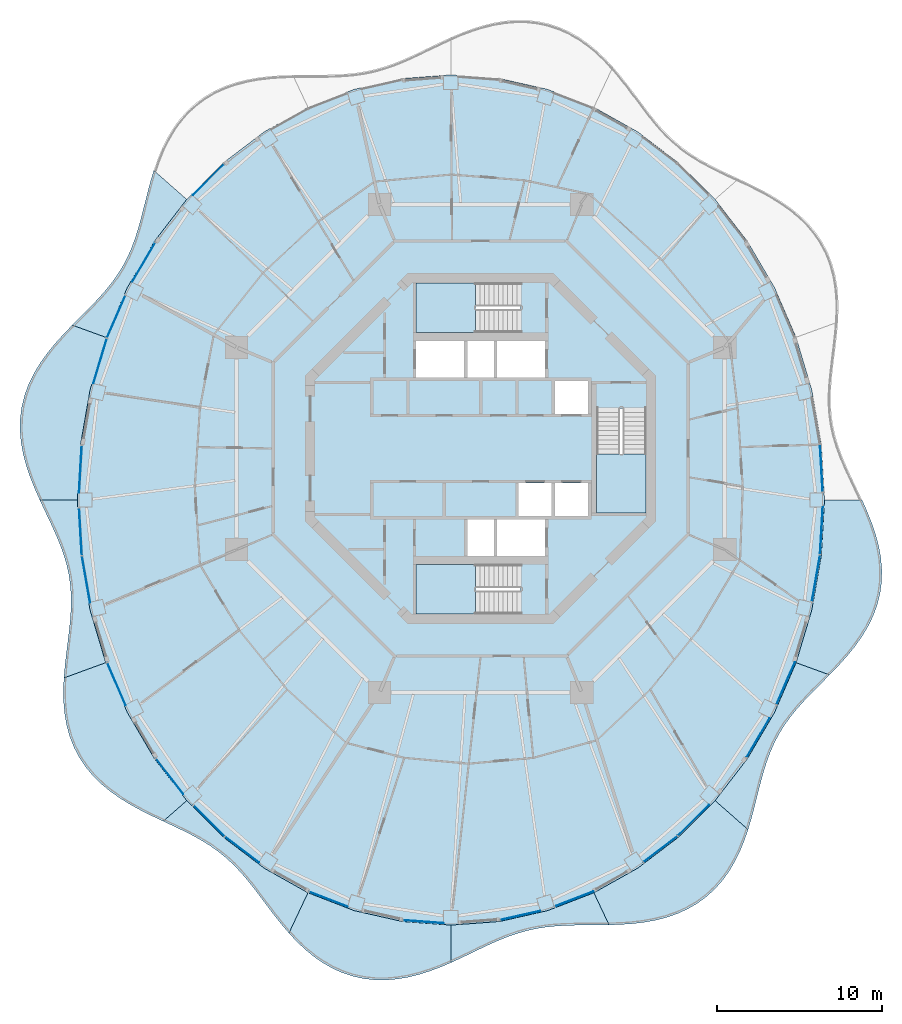
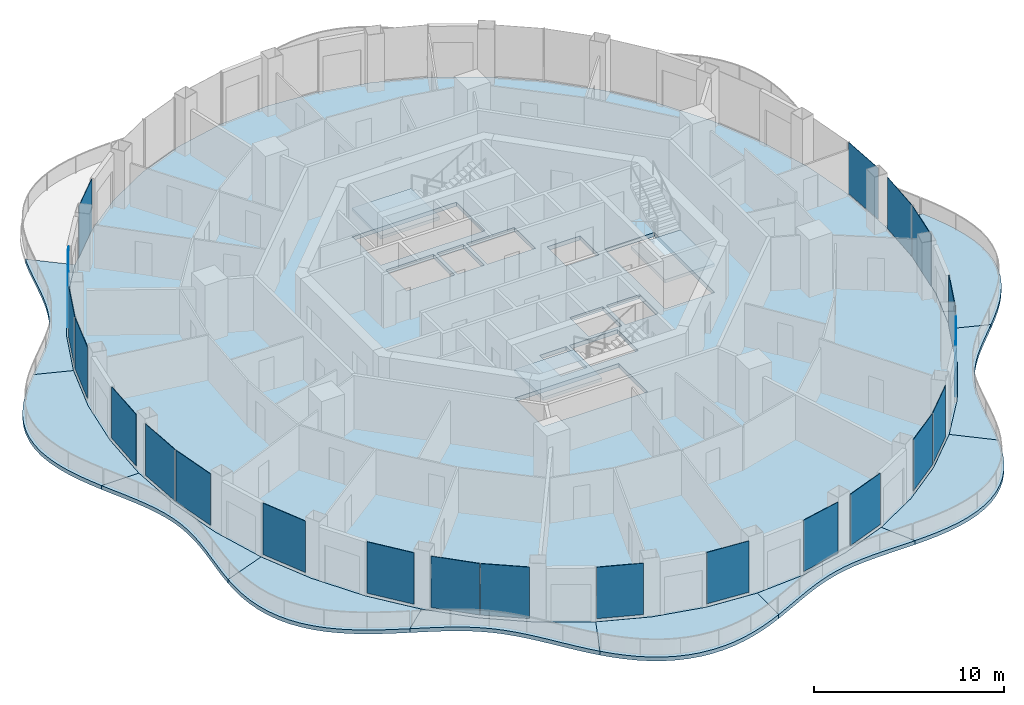
# One storey, part 8 of 17: 22 plates, 14 slabs, 25 elements without a shape of their own.
"""IFC4 building model written with IfcOpenShell, lengths in metres."""

from ifc_helpers import new_model, si_unit, direction, frame, origin, origin_2d, place, context, subcontext, project, spatial, polyline, rectangle, outline, extrude, material, layer, layer_set, type_object, element, aggregate, save


model = new_model("IFC4")

# Units and contexts
model_context = context("Model", 3, precision=1e-05, world=origin(), true_north=direction((0.0, 1.0)))
body_context = subcontext(model_context, "Body", "Model", "MODEL_VIEW")
ifc_project = project(units=[si_unit("LENGTHUNIT", "METRE"), si_unit("AREAUNIT", "SQUARE_METRE"), si_unit("VOLUMEUNIT", "CUBIC_METRE"), si_unit("PLANEANGLEUNIT", "RADIAN"), si_unit("MASSUNIT", "GRAM", prefix="KILO")], contexts=[model_context])

# Site, building, storey
site_placement = place(None, origin())
site = spatial("IfcSite", under=ifc_project, at=site_placement, CompositionType="ELEMENT")
building_placement = place(site_placement, origin())
building = spatial("IfcBuilding", under=site, at=building_placement, Name="Nagisa Residences", CompositionType="ELEMENT")
storey_placement = place(building_placement, frame((0.0, 0.0, 269.60009765625)))
storey = spatial("IfcBuildingStorey", under=building, at=storey_placement, Name="L68", CompositionType="ELEMENT", Elevation=269.60009765625)

# Slabs
ifc_material_1 = material(Name="Concrete C40/50", Category="concrete")
ifc_layer_1 = layer(ifc_material_1, 0.25)
ifc_layer_set_1 = layer_set([ifc_layer_1], Name="BALCONY SLAB 250")
slab_type_1 = type_object("IfcSlabType", Name="BALCONY SLAB 250", PredefinedType="FLOOR", material=ifc_layer_set_1)
slab_1_placement = place(storey_placement, frame((0.0, 0.0, -0.25)))
element("IfcSlab", 1, at=slab_1_placement, inside=storey, type_object=slab_type_1, Name="slab:L68:bal06", PredefinedType="FLOOR", context=body_context, shape_type="SweptSolid", body=[
    extrude(outline(polyline([(-19.78955078125, 16.83642578125), (-19.998779296875, 16.132080078125), (-20.18505859375, 15.4287109375), (-20.35888671875, 14.734375), (-20.530517578125, 14.0556640625), (-20.710205078125, 13.397705078125), (-20.907470703125, 12.76416015625), (-21.130615234375, 12.156982421875), (-21.38671875, 11.575927734375), (-21.68017578125, 11.019775390625), (-22.014404296875, 10.485595703125), (-22.38916015625, 9.969482421875), (-22.802734375, 9.46630859375), (-23.2509765625, 8.970703125), (-23.726806640625, 8.476806640625), (-24.22216796875, 7.978515625), (-24.726806640625, 7.470947265625), (-22.6982421875, 6.732666015625), (-21.389404296875, 9.752197265625), (-19.74560546875, 12.5517578125), (-17.794677734375, 15.083251953125), (-19.78955078125, 16.83642578125)])), origin(), (0.0, 0.0, 1.0), 0.25),
])
slab_2_placement = place(storey_placement, frame((0.0, 0.0, -0.25)))
element("IfcSlab", 2, at=slab_2_placement, inside=storey, type_object=slab_type_1, Name="slab:L68:bal07", PredefinedType="FLOOR", context=body_context, shape_type="SweptSolid", body=[
    extrude(outline(polyline([(-24.726806640625, 7.470947265625), (-25.245361328125, 6.932373046875), (-25.7490234375, 6.374267578125), (-26.224365234375, 5.793701171875), (-26.65869140625, 5.189208984375), (-27.04052734375, 4.56005859375), (-27.359619140625, 3.90771484375), (-27.6083984375, 3.234130859375), (-27.781005859375, 2.542724609375), (-27.875, 1.837158203125), (-27.890869140625, 1.122314453125), (-27.831298828125, 0.403076171875), (-27.70263671875, -0.31640625), (-27.512939453125, -1.03125), (-27.272705078125, -1.738037109375), (-26.99462890625, -2.434326171875), (-26.69140625, -3.11767578125), (-24.419921875, -3.11767578125), (-24.2265625, 0.241943359375), (-23.649169921875, 3.544189453125), (-22.6982421875, 6.732666015625), (-24.726806640625, 7.470947265625)])), origin(), (0.0, 0.0, 1.0), 0.25),
])
slab_3_placement = place(storey_placement, frame((0.0, 0.0, -0.25)))
element("IfcSlab", 3, at=slab_3_placement, inside=storey, type_object=slab_type_1, Name="slab:L68:bal08", PredefinedType="FLOOR", context=body_context, shape_type="SweptSolid", body=[
    extrude(outline(polyline([(-26.69140625, -3.11767578125), (-26.377197265625, -3.787841796875), (-26.0654296875, -4.4453125), (-25.768798828125, -5.091796875), (-25.4990234375, -5.7294921875), (-25.265625, -6.36181640625), (-25.075439453125, -6.99267578125), (-24.93359375, -7.626220703125), (-24.841552734375, -8.2666015625), (-24.7978515625, -8.917236328125), (-24.799072265625, -9.58154296875), (-24.837890625, -10.26171875), (-24.90576171875, -10.95849609375), (-24.99169921875, -11.671875), (-25.083251953125, -12.400390625), (-25.16748046875, -13.141357421875), (-25.231201171875, -13.889892578125), (-22.6982421875, -12.968017578125), (-23.649169921875, -9.77978515625), (-24.2265625, -6.4775390625), (-24.419921875, -3.11767578125), (-26.69140625, -3.11767578125)])), origin(), (0.0, 0.0, 1.0), 0.25),
])
slab_4_placement = place(storey_placement, frame((0.0, 0.0, -0.25)))
element("IfcSlab", 4, at=slab_4_placement, inside=storey, type_object=slab_type_1, Name="slab:L68:bal09", PredefinedType="FLOOR", context=body_context, shape_type="SweptSolid", body=[
    extrude(outline(polyline([(-25.231201171875, -13.889892578125), (-25.26123046875, -14.6181640625), (-25.249267578125, -15.343505859375), (-25.18603515625, -16.059326171875), (-25.063720703125, -16.759765625), (-24.877197265625, -17.438232421875), (-24.623046875, -18.0888671875), (-24.300537109375, -18.70654296875), (-23.911376953125, -19.286865234375), (-23.459716796875, -19.8271484375), (-22.950927734375, -20.32568359375), (-22.3935546875, -20.782958984375), (-21.796142578125, -21.20068359375), (-21.16943359375, -21.582275390625), (-20.5234375, -21.93310546875), (-19.869140625, -22.259033203125), (-19.21630859375, -22.56787109375), (-17.794677734375, -21.318603515625), (-19.74560546875, -18.787109375), (-21.389404296875, -15.98779296875), (-22.6982421875, -12.968017578125), (-25.231201171875, -13.889892578125)])), origin(), (0.0, 0.0, 1.0), 0.25),
])
slab_5_placement = place(storey_placement, frame((0.0, 0.0, -0.25)))
element("IfcSlab", 5, at=slab_5_placement, inside=storey, type_object=slab_type_1, Name="slab:L68:bal10", PredefinedType="FLOOR", context=body_context, shape_type="SweptSolid", body=[
    extrude(outline(polyline([(-19.21630859375, -22.56787109375), (-18.60400390625, -22.853759765625), (-18.008056640625, -23.138916015625), (-17.433837890625, -23.430908203125), (-16.885009765625, -23.736572265625), (-16.364013671875, -24.062255859375), (-15.870849609375, -24.4130859375), (-15.404296875, -24.79345703125), (-14.961669921875, -25.205322265625), (-14.5380859375, -25.6494140625), (-14.12890625, -26.124755859375), (-13.7275390625, -26.628173828125), (-13.327392578125, -27.155029296875), (-12.921630859375, -27.6982421875), (-12.503662109375, -28.250244140625), (-12.067626953125, -28.801513671875), (-11.608154296875, -29.34228515625), (-10.456298828125, -26.8984375), (-13.110107421875, -25.4091796875), (-15.570068359375, -23.53857421875), (-17.794677734375, -21.318603515625), (-19.21630859375, -22.56787109375)])), origin(), (0.0, 0.0, 1.0), 0.25),
])
slab_6_placement = place(storey_placement, frame((0.0, 0.0, -0.25)))
element("IfcSlab", 6, at=slab_6_placement, inside=storey, type_object=slab_type_1, Name="slab:L68:bal11", PredefinedType="FLOOR", context=body_context, shape_type="SweptSolid", body=[
    extrude(outline(polyline([(-11.608154296875, -29.34228515625), (-11.139404296875, -29.843505859375), (-10.642822265625, -30.315673828125), (-10.11669921875, -30.74951171875), (-9.5615234375, -31.13720703125), (-8.97802734375, -31.470703125), (-8.368896484375, -31.744384765625), (-7.7373046875, -31.953857421875), (-7.08740234375, -32.096435546875), (-6.423828125, -32.17138671875), (-5.751708984375, -32.179931640625), (-5.076416015625, -32.12548828125), (-4.40234375, -32.012451171875), (-3.734375, -31.847900390625), (-3.076171875, -31.639892578125), (-2.430908203125, -31.39697265625), (-1.800048828125, -31.129150390625), (-1.800048828125, -28.857666015625), (-4.75244140625, -28.637451171875), (-7.654541015625, -27.980712890625), (-10.456298828125, -26.8984375), (-11.608154296875, -29.34228515625)])), origin(), (0.0, 0.0, 1.0), 0.25),
])
slab_7_placement = place(storey_placement, frame((0.0, 0.0, -0.25)))
element("IfcSlab", 7, at=slab_7_placement, inside=storey, type_object=slab_type_1, Name="slab:L68:bal12", PredefinedType="FLOOR", context=body_context, shape_type="SweptSolid", body=[
    extrude(outline(polyline([(-1.800048828125, -31.129150390625), (-1.1845703125, -30.8466796875), (-0.58447265625, -30.55908203125), (0.001708984375, -30.276123046875), (0.576171875, -30.006591796875), (1.141845703125, -29.7578125), (1.70263671875, -29.535888671875), (2.262451171875, -29.344970703125), (2.825439453125, -29.187744140625), (3.395263671875, -29.064697265625), (3.975830078125, -28.974609375), (4.56982421875, -28.9140625), (5.179443359375, -28.878662109375), (5.805419921875, -28.86181640625), (6.447509765625, -28.856201171875), (7.104736328125, -28.853759765625), (7.774169921875, -28.845458984375), (6.856201171875, -26.8984375), (4.054443359375, -27.980712890625), (1.152587890625, -28.637451171875), (-1.800048828125, -28.857666015625), (-1.800048828125, -31.129150390625)])), origin(), (0.0, 0.0, 1.0), 0.25),
])
slab_8_placement = place(storey_placement, frame((0.0, 0.0, -0.25)))
element("IfcSlab", 8, at=slab_8_placement, inside=storey, type_object=slab_type_1, Name="slab:L68:bal13", PredefinedType="FLOOR", context=body_context, shape_type="SweptSolid", body=[
    extrude(outline(polyline([(7.774169921875, -28.845458984375), (8.477783203125, -28.821533203125), (9.185302734375, -28.77197265625), (9.890625, -28.688232421875), (10.5869140625, -28.56201171875), (11.2666015625, -28.386962890625), (11.922607421875, -28.157958984375), (12.548095703125, -27.8720703125), (13.136474609375, -27.52783203125), (13.682861328125, -27.125732421875), (14.182861328125, -26.668212890625), (14.63427734375, -26.1591796875), (15.035888671875, -25.6044921875), (15.388916015625, -25.010498046875), (15.69580078125, -24.385009765625), (15.960693359375, -23.73583984375), (16.189697265625, -23.07177734375), (14.19482421875, -21.318603515625), (11.97021484375, -23.53857421875), (9.510009765625, -25.4091796875), (6.856201171875, -26.8984375), (7.774169921875, -28.845458984375)])), origin(), (0.0, 0.0, 1.0), 0.25),
])
slab_9_placement = place(storey_placement, frame((0.0, 0.0, -0.25)))
element("IfcSlab", 9, at=slab_9_placement, inside=storey, type_object=slab_type_1, Name="slab:L68:bal14", PredefinedType="FLOOR", context=body_context, shape_type="SweptSolid", body=[
    extrude(outline(polyline([(16.189697265625, -23.07177734375), (16.398681640625, -22.367431640625), (16.585205078125, -21.6640625), (16.759033203125, -20.9697265625), (16.9306640625, -20.291015625), (17.1103515625, -19.63330078125), (17.3076171875, -18.999755859375), (17.53076171875, -18.392333984375), (17.78662109375, -17.811279296875), (18.080322265625, -17.255126953125), (18.414306640625, -16.720947265625), (18.789306640625, -16.204833984375), (19.202880859375, -15.701904296875), (19.65087890625, -15.2060546875), (20.126708984375, -14.712158203125), (20.6220703125, -14.214111328125), (21.126708984375, -13.706298828125), (19.09814453125, -12.968017578125), (17.78955078125, -15.98779296875), (16.145751953125, -18.787109375), (14.19482421875, -21.318603515625), (16.189697265625, -23.07177734375)])), origin(), (0.0, 0.0, 1.0), 0.25),
])
slab_10_placement = place(storey_placement, frame((0.0, 0.0, -0.25)))
element("IfcSlab", 10, at=slab_10_placement, inside=storey, type_object=slab_type_1, Name="slab:L68:bal15", PredefinedType="FLOOR", context=body_context, shape_type="SweptSolid", body=[
    extrude(outline(polyline([(21.126708984375, -13.706298828125), (21.6455078125, -13.167724609375), (22.14892578125, -12.609619140625), (22.624267578125, -12.029052734375), (23.05859375, -11.424560546875), (23.4404296875, -10.795654296875), (23.759521484375, -10.14306640625), (24.00830078125, -9.4697265625), (24.180908203125, -8.778076171875), (24.275146484375, -8.07275390625), (24.290771484375, -7.35791015625), (24.2314453125, -6.638427734375), (24.1025390625, -5.919189453125), (23.912841796875, -5.2041015625), (23.6728515625, -4.497314453125), (23.39453125, -3.80126953125), (23.091552734375, -3.11767578125), (20.820068359375, -3.11767578125), (20.62646484375, -6.4775390625), (20.04931640625, -9.77978515625), (19.09814453125, -12.968017578125), (21.126708984375, -13.706298828125)])), origin(), (0.0, 0.0, 1.0), 0.25),
])

# Curtain wall, plate
ifc_material_2 = material(Name="Concrete-coloured aluminium curtain wall system", Category="concrete")
ifc_layer_2 = layer(ifc_material_2, 0.159912109375)
ifc_layer_set_2 = layer_set([ifc_layer_2], Name="CW1 CURTAIN WALL")
curtain_wall_type = type_object("IfcCurtainWallType", Name="CW1 CURTAIN WALL", PredefinedType="NOTDEFINED", material=ifc_layer_set_2)
curtain_wall_1_placement = place(storey_placement, origin())
curtain_wall_1 = element("IfcCurtainWall", 11, at=curtain_wall_1_placement, inside=storey, type_object=curtain_wall_type, Name="cw:CW1:L68:00", PredefinedType="NOTDEFINED")
ifc_material_3 = material(Name="Clear laminated glass", Category="glass")
ifc_layer_3 = layer(ifc_material_3, 0.028076171875)
ifc_layer_set_3 = layer_set([ifc_layer_3], Name="CW1 GLASS PANEL")
plate_type = type_object("IfcPlateType", Name="CW1 GLASS PANEL", PredefinedType="CURTAIN_PANEL", material=ifc_layer_set_3)
plate_1_placement = place(storey_placement, frame((20.628662109375, -1.187744140625, 0.14990234375), z_axis=(0.0, 0.0, 1.0), x_axis=(-0.057503492216, 0.998345305184, 0.0)))
plate_1 = element("IfcPlate", 12, at=plate_1_placement, type_object=plate_type, Name="CW1 panel", PredefinedType="CURTAIN_PANEL", context=body_context, shape_type="SweptSolid", body=[
    extrude(rectangle(XDim=2.855224609375, YDim=0.028076171875, at=origin_2d()), origin(), (0.0, 0.0, 1.0), 3.2900390625),
])
aggregate(curtain_wall_1, [plate_1])

curtain_wall_2_placement = place(storey_placement, origin())
curtain_wall_2 = element("IfcCurtainWall", 13, at=curtain_wall_2_placement, inside=storey, type_object=curtain_wall_type, Name="cw:CW1:L68:17", PredefinedType="NOTDEFINED")
plate_2_placement = place(storey_placement, frame((-16.488037109375, 16.2744140625, 0.14990234375), z_axis=(0.0, 0.0, 1.0), x_axis=(-0.707835924016, -0.706376885714, 0.0)))
plate_2 = element("IfcPlate", 14, at=plate_2_placement, type_object=plate_type, Name="CW1 panel", PredefinedType="CURTAIN_PANEL", context=body_context, shape_type="SweptSolid", body=[
    extrude(rectangle(XDim=2.6328125, YDim=0.028076171875, at=origin_2d()), origin(), (0.0, 0.0, 1.0), 3.2900390625),
])
aggregate(curtain_wall_2, [plate_2])

curtain_wall_3_placement = place(storey_placement, origin())
curtain_wall_3 = element("IfcCurtainWall", 15, at=curtain_wall_3_placement, inside=storey, type_object=curtain_wall_type, Name="cw:CW1:L68:19", PredefinedType="NOTDEFINED")
plate_3_placement = place(storey_placement, frame((-20.39990234375, 11.27978515625, 0.14990234375), z_axis=(0.0, 0.0, 1.0), x_axis=(-0.506348567002, -0.862328898214, 0.0)))
plate_3 = element("IfcPlate", 16, at=plate_3_placement, type_object=plate_type, Name="CW1 panel", PredefinedType="CURTAIN_PANEL", context=body_context, shape_type="SweptSolid", body=[
    extrude(rectangle(XDim=2.736572265625, YDim=0.028076171875, at=origin_2d()), origin(), (0.0, 0.0, 1.0), 3.2900390625),
])
aggregate(curtain_wall_3, [plate_3])

curtain_wall_4_placement = place(storey_placement, origin())
curtain_wall_4 = element("IfcCurtainWall", 17, at=curtain_wall_4_placement, inside=storey, type_object=curtain_wall_type, Name="cw:CW1:L68:20", PredefinedType="NOTDEFINED")
plate_4_placement = place(storey_placement, frame((-22.07177734375, 7.9765625, 0.14990234375), z_axis=(0.0, 0.0, 1.0), x_axis=(-0.397635934147, -0.917543276295, 0.0)))
plate_4 = element("IfcPlate", 18, at=plate_4_placement, type_object=plate_type, Name="CW1 panel", PredefinedType="CURTAIN_PANEL", context=body_context, shape_type="SweptSolid", body=[
    extrude(rectangle(XDim=2.781005859375, YDim=0.028076171875, at=origin_2d()), origin(), (0.0, 0.0, 1.0), 3.2900390625),
])
aggregate(curtain_wall_4, [plate_4])

curtain_wall_5_placement = place(storey_placement, origin())
curtain_wall_5 = element("IfcCurtainWall", 19, at=curtain_wall_5_placement, inside=storey, type_object=curtain_wall_type, Name="cw:CW1:L68:21", PredefinedType="NOTDEFINED")
plate_5_placement = place(storey_placement, frame((-23.041259765625, 5.302490234375, 0.14990234375), z_axis=(0.0, 0.0, 1.0), x_axis=(-0.285860274038, -0.958271310082, 0.0)))
plate_5 = element("IfcPlate", 20, at=plate_5_placement, type_object=plate_type, Name="CW1 panel", PredefinedType="CURTAIN_PANEL", context=body_context, shape_type="SweptSolid", body=[
    extrude(rectangle(XDim=2.817138671875, YDim=0.028076171875, at=origin_2d()), origin(), (0.0, 0.0, 1.0), 3.2900390625),
])
aggregate(curtain_wall_5, [plate_5])

curtain_wall_6_placement = place(storey_placement, origin())
curtain_wall_6 = element("IfcCurtainWall", 21, at=curtain_wall_6_placement, inside=storey, type_object=curtain_wall_type, Name="cw:CW1:L68:23", PredefinedType="NOTDEFINED")
plate_6_placement = place(storey_placement, frame((-24.232177734375, -1.247802734375, 0.14990234375), z_axis=(0.0, 0.0, 1.0), x_axis=(-0.057503492216, -0.998345305184, 0.0)))
plate_6 = element("IfcPlate", 22, at=plate_6_placement, type_object=plate_type, Name="CW1 panel", PredefinedType="CURTAIN_PANEL", context=body_context, shape_type="SweptSolid", body=[
    extrude(rectangle(XDim=2.855224609375, YDim=0.028076171875, at=origin_2d()), origin(), (0.0, 0.0, 1.0), 3.2900390625),
])
aggregate(curtain_wall_6, [plate_6])

curtain_wall_7_placement = place(storey_placement, origin())
curtain_wall_7 = element("IfcCurtainWall", 23, at=curtain_wall_7_placement, inside=storey, type_object=curtain_wall_type, Name="cw:CW1:L68:24", PredefinedType="NOTDEFINED")
plate_7_placement = place(storey_placement, frame((-24.228759765625, -5.047607421875, 0.14990234375), z_axis=(0.0, 0.0, 1.0), x_axis=(0.057503492216, -0.998345305184, 0.0)))
plate_7 = element("IfcPlate", 24, at=plate_7_placement, type_object=plate_type, Name="CW1 panel", PredefinedType="CURTAIN_PANEL", context=body_context, shape_type="SweptSolid", body=[
    extrude(rectangle(XDim=2.855224609375, YDim=0.028076171875, at=origin_2d()), origin(), (0.0, 0.0, 1.0), 3.2900390625),
])
aggregate(curtain_wall_7, [plate_7])

curtain_wall_8_placement = place(storey_placement, origin())
curtain_wall_8 = element("IfcCurtainWall", 25, at=curtain_wall_8_placement, inside=storey, type_object=curtain_wall_type, Name="cw:CW1:L68:25", PredefinedType="NOTDEFINED")
plate_8_placement = place(storey_placement, frame((-23.892578125, -7.922607421875, 0.14990234375), z_axis=(0.0, 0.0, 1.0), x_axis=(0.172190868898, -0.985063604377, 0.0)))
plate_8 = element("IfcPlate", 26, at=plate_8_placement, type_object=plate_type, Name="CW1 panel", PredefinedType="CURTAIN_PANEL", context=body_context, shape_type="SweptSolid", body=[
    extrude(rectangle(XDim=2.84228515625, YDim=0.028076171875, at=origin_2d()), origin(), (0.0, 0.0, 1.0), 3.2900390625),
])
aggregate(curtain_wall_8, [plate_8])

curtain_wall_9_placement = place(storey_placement, origin())
curtain_wall_9 = element("IfcCurtainWall", 27, at=curtain_wall_9_placement, inside=storey, type_object=curtain_wall_type, Name="cw:CW1:L68:27", PredefinedType="NOTDEFINED")
plate_9_placement = place(storey_placement, frame((-22.0478515625, -14.26708984375, 0.14990234375), z_axis=(0.0, 0.0, 1.0), x_axis=(0.397635934147, -0.917543276295, 0.0)))
plate_9 = element("IfcPlate", 28, at=plate_9_placement, type_object=plate_type, Name="CW1 panel", PredefinedType="CURTAIN_PANEL", context=body_context, shape_type="SweptSolid", body=[
    extrude(rectangle(XDim=2.781005859375, YDim=0.028076171875, at=origin_2d()), origin(), (0.0, 0.0, 1.0), 3.2900390625),
])
aggregate(curtain_wall_9, [plate_9])

curtain_wall_10_placement = place(storey_placement, origin())
curtain_wall_10 = element("IfcCurtainWall", 29, at=curtain_wall_10_placement, inside=storey, type_object=curtain_wall_type, Name="cw:CW1:L68:29", PredefinedType="NOTDEFINED")
plate_10_placement = place(storey_placement, frame((-18.825927734375, -19.849609375, 0.14990234375), z_axis=(0.0, 0.0, 1.0), x_axis=(0.610429828235, -0.792070340816, 0.0)))
plate_10 = element("IfcPlate", 30, at=plate_10_placement, type_object=plate_type, Name="CW1 panel", PredefinedType="CURTAIN_PANEL", context=body_context, shape_type="SweptSolid", body=[
    extrude(rectangle(XDim=2.68603515625, YDim=0.028076171875, at=origin_2d()), origin(), (0.0, 0.0, 1.0), 3.2900390625),
])
aggregate(curtain_wall_10, [plate_10])

curtain_wall_11_placement = place(storey_placement, origin())
curtain_wall_11 = element("IfcCurtainWall", 31, at=curtain_wall_11_placement, inside=storey, type_object=curtain_wall_type, Name="cw:CW1:L68:30", PredefinedType="NOTDEFINED")
plate_11_placement = place(storey_placement, frame((-16.445556640625, -22.552001953125, 0.14990234375), z_axis=(0.0, 0.0, 1.0), x_axis=(0.707835924016, -0.706376885714, 0.0)))
plate_11 = element("IfcPlate", 32, at=plate_11_placement, type_object=plate_type, Name="CW1 panel", PredefinedType="CURTAIN_PANEL", context=body_context, shape_type="SweptSolid", body=[
    extrude(rectangle(XDim=2.6328125, YDim=0.028076171875, at=origin_2d()), origin(), (0.0, 0.0, 1.0), 3.2900390625),
])
aggregate(curtain_wall_11, [plate_11])

curtain_wall_12_placement = place(storey_placement, origin())
curtain_wall_12 = element("IfcCurtainWall", 33, at=curtain_wall_12_placement, inside=storey, type_object=curtain_wall_type, Name="cw:CW1:L68:31", PredefinedType="NOTDEFINED")
plate_12_placement = place(storey_placement, frame((-14.44677734375, -24.292236328125, 0.14990234375), z_axis=(0.0, 0.0, 1.0), x_axis=(0.79603132756, -0.605255421737, 0.0)))
plate_12 = element("IfcPlate", 34, at=plate_12_placement, type_object=plate_type, Name="CW1 panel", PredefinedType="CURTAIN_PANEL", context=body_context, shape_type="SweptSolid", body=[
    extrude(rectangle(XDim=2.58056640625, YDim=0.028076171875, at=origin_2d()), origin(), (0.0, 0.0, 1.0), 3.2900390625),
])
aggregate(curtain_wall_12, [plate_12])

curtain_wall_13_placement = place(storey_placement, origin())
curtain_wall_13 = element("IfcCurtainWall", 35, at=curtain_wall_13_placement, inside=storey, type_object=curtain_wall_type, Name="cw:CW1:L68:33", PredefinedType="NOTDEFINED")
plate_13_placement = place(storey_placement, frame((-9.20849609375, -27.294677734375, 0.14990234375), z_axis=(0.0, 0.0, 1.0), x_axis=(0.932825759707, -0.360327770268, 0.0)))
plate_13 = element("IfcPlate", 36, at=plate_13_placement, type_object=plate_type, Name="CW1 panel", PredefinedType="CURTAIN_PANEL", context=body_context, shape_type="SweptSolid", body=[
    extrude(rectangle(XDim=2.49365234375, YDim=0.028076171875, at=origin_2d()), origin(), (0.0, 0.0, 1.0), 3.2900390625),
])
aggregate(curtain_wall_13, [plate_13])

curtain_wall_14_placement = place(storey_placement, origin())
curtain_wall_14 = element("IfcCurtainWall", 37, at=curtain_wall_14_placement, inside=storey, type_object=curtain_wall_type, Name="cw:CW1:L68:35", PredefinedType="NOTDEFINED")
plate_14_placement = place(storey_placement, frame((-3.46484375, -28.6533203125, 0.14990234375), z_axis=(0.0, 0.0, 1.0), x_axis=(0.997230168512, -0.074377355493, 0.0)))
plate_14 = element("IfcPlate", 38, at=plate_14_placement, type_object=plate_type, Name="CW1 panel", PredefinedType="CURTAIN_PANEL", context=body_context, shape_type="SweptSolid", body=[
    extrude(rectangle(XDim=2.45068359375, YDim=0.028076171875, at=origin_2d()), origin(), (0.0, 0.0, 1.0), 3.2900390625),
])
aggregate(curtain_wall_14, [plate_14])

curtain_wall_15_placement = place(storey_placement, origin())
curtain_wall_15 = element("IfcCurtainWall", 39, at=curtain_wall_15_placement, inside=storey, type_object=curtain_wall_type, Name="cw:CW1:L68:37", PredefinedType="NOTDEFINED")
plate_15_placement = place(storey_placement, frame((2.395751953125, -28.274169921875, 0.14990234375), z_axis=(0.0, 0.0, 1.0), x_axis=(0.975327274089, 0.2207639201, 0.0)))
plate_15 = element("IfcPlate", 40, at=plate_15_placement, type_object=plate_type, Name="CW1 panel", PredefinedType="CURTAIN_PANEL", context=body_context, shape_type="SweptSolid", body=[
    extrude(rectangle(XDim=2.46533203125, YDim=0.028076171875, at=origin_2d()), origin(), (0.0, 0.0, 1.0), 3.2900390625),
])
aggregate(curtain_wall_15, [plate_15])

curtain_wall_16_placement = place(storey_placement, origin())
curtain_wall_16 = element("IfcCurtainWall", 41, at=curtain_wall_16_placement, inside=storey, type_object=curtain_wall_type, Name="cw:CW1:L68:38", PredefinedType="NOTDEFINED")
plate_16_placement = place(storey_placement, frame((5.66455078125, -27.27294921875, 0.14990234375), z_axis=(0.0, 0.0, 1.0), x_axis=(0.932825759707, 0.360327770268, 0.0)))
plate_16 = element("IfcPlate", 42, at=plate_16_placement, type_object=plate_type, Name="CW1 panel", PredefinedType="CURTAIN_PANEL", context=body_context, shape_type="SweptSolid", body=[
    extrude(rectangle(XDim=2.49365234375, YDim=0.028076171875, at=origin_2d()), origin(), (0.0, 0.0, 1.0), 3.2900390625),
])
aggregate(curtain_wall_16, [plate_16])

curtain_wall_17_placement = place(storey_placement, origin())
curtain_wall_17 = element("IfcCurtainWall", 43, at=curtain_wall_17_placement, inside=storey, type_object=curtain_wall_type, Name="cw:CW1:L68:40", PredefinedType="NOTDEFINED")
plate_17_placement = place(storey_placement, frame((10.894775390625, -24.255859375, 0.14990234375), z_axis=(0.0, 0.0, 1.0), x_axis=(0.79603132756, 0.605255421737, 0.0)))
plate_17 = element("IfcPlate", 44, at=plate_17_placement, type_object=plate_type, Name="CW1 panel", PredefinedType="CURTAIN_PANEL", context=body_context, shape_type="SweptSolid", body=[
    extrude(rectangle(XDim=2.58056640625, YDim=0.028076171875, at=origin_2d()), origin(), (0.0, 0.0, 1.0), 3.2900390625),
])
aggregate(curtain_wall_17, [plate_17])

curtain_wall_18_placement = place(storey_placement, origin())
curtain_wall_18 = element("IfcCurtainWall", 45, at=curtain_wall_18_placement, inside=storey, type_object=curtain_wall_type, Name="cw:CW1:L68:41", PredefinedType="NOTDEFINED")
plate_18_placement = place(storey_placement, frame((12.887939453125, -22.509765625, 0.14990234375), z_axis=(0.0, 0.0, 1.0), x_axis=(0.707835924016, 0.706376885714, 0.0)))
plate_18 = element("IfcPlate", 46, at=plate_18_placement, type_object=plate_type, Name="CW1 panel", PredefinedType="CURTAIN_PANEL", context=body_context, shape_type="SweptSolid", body=[
    extrude(rectangle(XDim=2.6328125, YDim=0.028076171875, at=origin_2d()), origin(), (0.0, 0.0, 1.0), 3.2900390625),
])
aggregate(curtain_wall_18, [plate_18])

curtain_wall_19_placement = place(storey_placement, origin())
curtain_wall_19 = element("IfcCurtainWall", 47, at=curtain_wall_19_placement, inside=storey, type_object=curtain_wall_type, Name="cw:CW1:L68:43", PredefinedType="NOTDEFINED")
plate_19_placement = place(storey_placement, frame((16.7998046875, -17.51513671875, 0.14990234375), z_axis=(0.0, 0.0, 1.0), x_axis=(0.506348567002, 0.862328898214, 0.0)))
plate_19 = element("IfcPlate", 48, at=plate_19_placement, type_object=plate_type, Name="CW1 panel", PredefinedType="CURTAIN_PANEL", context=body_context, shape_type="SweptSolid", body=[
    extrude(rectangle(XDim=2.736572265625, YDim=0.028076171875, at=origin_2d()), origin(), (0.0, 0.0, 1.0), 3.2900390625),
])
aggregate(curtain_wall_19, [plate_19])

curtain_wall_20_placement = place(storey_placement, origin())
curtain_wall_20 = element("IfcCurtainWall", 49, at=curtain_wall_20_placement, inside=storey, type_object=curtain_wall_type, Name="cw:CW1:L68:44", PredefinedType="NOTDEFINED")
plate_20_placement = place(storey_placement, frame((18.471923828125, -14.212158203125, 0.14990234375), z_axis=(0.0, 0.0, 1.0), x_axis=(0.397635934147, 0.917543276295, 0.0)))
plate_20 = element("IfcPlate", 50, at=plate_20_placement, type_object=plate_type, Name="CW1 panel", PredefinedType="CURTAIN_PANEL", context=body_context, shape_type="SweptSolid", body=[
    extrude(rectangle(XDim=2.781005859375, YDim=0.028076171875, at=origin_2d()), origin(), (0.0, 0.0, 1.0), 3.2900390625),
])
aggregate(curtain_wall_20, [plate_20])

curtain_wall_21_placement = place(storey_placement, origin())
curtain_wall_21 = element("IfcCurtainWall", 51, at=curtain_wall_21_placement, inside=storey, type_object=curtain_wall_type, Name="cw:CW1:L68:46", PredefinedType="NOTDEFINED")
plate_21_placement = place(storey_placement, frame((20.302978515625, -7.863525390625, 0.14990234375), z_axis=(0.0, 0.0, 1.0), x_axis=(0.172190868898, 0.985063604377, 0.0)))
plate_21 = element("IfcPlate", 52, at=plate_21_placement, type_object=plate_type, Name="CW1 panel", PredefinedType="CURTAIN_PANEL", context=body_context, shape_type="SweptSolid", body=[
    extrude(rectangle(XDim=2.84228515625, YDim=0.028076171875, at=origin_2d()), origin(), (0.0, 0.0, 1.0), 3.2900390625),
])
aggregate(curtain_wall_21, [plate_21])

curtain_wall_22_placement = place(storey_placement, origin())
curtain_wall_22 = element("IfcCurtainWall", 53, at=curtain_wall_22_placement, inside=storey, type_object=curtain_wall_type, Name="cw:CW1:L68:47", PredefinedType="NOTDEFINED")
plate_22_placement = place(storey_placement, frame((20.632080078125, -4.987548828125, 0.14990234375), z_axis=(0.0, 0.0, 1.0), x_axis=(0.057503492216, 0.998345305184, 0.0)))
plate_22 = element("IfcPlate", 54, at=plate_22_placement, type_object=plate_type, Name="CW1 panel", PredefinedType="CURTAIN_PANEL", context=body_context, shape_type="SweptSolid", body=[
    extrude(rectangle(XDim=2.855224609375, YDim=0.028076171875, at=origin_2d()), origin(), (0.0, 0.0, 1.0), 3.2900390625),
])
aggregate(curtain_wall_22, [plate_22])

# Slab
ifc_material_4 = material(Name="Concrete C40", Category="concrete")
ifc_layer_4 = layer(ifc_material_4, 0.260009765625)
ifc_layer_set_4 = layer_set([ifc_layer_4], Name="Floor slab 260")
slab_type_2 = type_object("IfcSlabType", Name="Floor slab 260", PredefinedType="FLOOR", material=ifc_layer_set_4)
slab_11_placement = place(storey_placement, frame((0.0, 0.0, -0.260009765625)))
element("IfcSlab", 55, at=slab_11_placement, inside=storey, type_object=slab_type_2, Name="slab:L68:floor", PredefinedType="FLOOR", context=body_context, shape_type="SweptSolid", body=[
    extrude(outline(polyline([(20.820068359375, -3.11767578125), (20.62646484375, 0.241943359375), (20.04931640625, 3.544189453125), (19.09814453125, 6.732666015625), (17.78955078125, 9.752197265625), (16.145751953125, 12.5517578125), (14.19482421875, 15.083251953125), (11.97021484375, 17.30322265625), (9.510009765625, 19.173828125), (6.856201171875, 20.6630859375), (4.054443359375, 21.745361328125), (1.152587890625, 22.402099609375), (-1.800048828125, 22.622314453125), (-4.75244140625, 22.402099609375), (-7.654541015625, 21.745361328125), (-10.456298828125, 20.6630859375), (-13.110107421875, 19.173828125), (-15.570068359375, 17.30322265625), (-17.794677734375, 15.083251953125), (-19.74560546875, 12.5517578125), (-21.389404296875, 9.752197265625), (-22.6982421875, 6.732666015625), (-23.649169921875, 3.544189453125), (-24.2265625, 0.241943359375), (-24.419921875, -3.11767578125), (-24.2265625, -6.4775390625), (-23.649169921875, -9.77978515625), (-22.6982421875, -12.968017578125), (-21.389404296875, -15.98779296875), (-19.74560546875, -18.787109375), (-17.794677734375, -21.318603515625), (-15.570068359375, -23.53857421875), (-13.110107421875, -25.4091796875), (-10.456298828125, -26.8984375), (-7.654541015625, -27.980712890625), (-4.75244140625, -28.637451171875), (-1.800048828125, -28.857666015625), (1.152587890625, -28.637451171875), (4.054443359375, -27.980712890625), (6.856201171875, -26.8984375), (9.510009765625, -25.4091796875), (11.97021484375, -23.53857421875), (14.19482421875, -21.318603515625), (16.145751953125, -18.787109375), (17.78955078125, -15.98779296875), (19.09814453125, -12.968017578125), (20.04931640625, -9.77978515625), (20.62646484375, -6.4775390625), (20.820068359375, -3.11767578125)]), holes=[polyline([(6.5, 2.10009765625), (6.5, 4.10009765625), (4.5, 4.10009765625), (4.5, 2.10009765625), (6.5, 2.10009765625)]), polyline([(4.300048828125, -4.10009765625), (4.300048828125, -2.10009765625), (2.300048828125, -2.10009765625), (2.300048828125, -4.10009765625), (4.300048828125, -4.10009765625)]), polyline([(6.5, -4.10009765625), (6.5, -2.10009765625), (4.5, -2.10009765625), (4.5, -4.10009765625), (6.5, -4.10009765625)]), polyline([(3.89990234375, 4.300048828125), (3.89990234375, 6.5), (1.0, 6.5), (1.0, 4.300048828125), (3.89990234375, 4.300048828125)]), polyline([(3.89990234375, -6.5), (3.89990234375, -4.300048828125), (1.0, -4.300048828125), (1.0, -6.5), (3.89990234375, -6.5)]), polyline([(-1.0, 4.300048828125), (-1.0, 6.5), (-3.89990234375, 6.5), (-3.89990234375, 4.300048828125), (-1.0, 4.300048828125)]), polyline([(0.800048828125, 4.300048828125), (0.800048828125, 6.5), (-0.800048828125, 6.5), (-0.800048828125, 4.300048828125), (0.800048828125, 4.300048828125)]), polyline([(0.800048828125, -6.5), (0.800048828125, -4.300048828125), (-0.800048828125, -4.300048828125), (-0.800048828125, -6.5), (0.800048828125, -6.5)]), polyline([(10.024658203125, -3.89990234375), (7.024658203125, -3.89990234375), (7.024658203125, 2.425048828125), (10.024658203125, 2.425048828125), (10.024658203125, -3.89990234375)]), polyline([(-3.89990234375, 7.024658203125), (-3.89990234375, 10.024658203125), (2.425048828125, 10.024658203125), (2.425048828125, 7.024658203125), (-3.89990234375, 7.024658203125)]), polyline([(-3.89990234375, -10.024658203125), (-3.89990234375, -7.024658203125), (2.425048828125, -7.024658203125), (2.425048828125, -10.024658203125), (-3.89990234375, -10.024658203125)])]), origin(), (0.0, 0.0, 1.0), 0.260009765625),
])

# Stair, slab
ifc_material_5 = material(Name="Concrete C60", Category="concrete")
stair_type = type_object("IfcStairType", Name="Exit stair", PredefinedType="HALF_TURN_STAIR", material=ifc_material_5)
stair_1_placement = place(storey_placement, origin())
stair_1 = element("IfcStair", 56, at=stair_1_placement, inside=storey, type_object=stair_type, Name="L68 Exit stair E", PredefinedType="HALF_TURN_STAIR")
ifc_material_6 = material(Name="Concrete C60", Category="concrete")
ifc_layer_5 = layer(ifc_material_6, 0.199951171875)
ifc_layer_set_5 = layer_set([ifc_layer_5], Name="Stair landing")
slab_type_3 = type_object("IfcSlabType", Name="Stair landing", PredefinedType="LANDING", material=ifc_layer_set_5)
slab_12_placement = place(storey_placement, frame((0.0, 0.0, 1.64990234375)))
slab_12 = element("IfcSlab", 57, at=slab_12_placement, type_object=slab_type_3, Name="ST-E landing 1", PredefinedType="LANDING", context=body_context, shape_type="SweptSolid", body=[
    extrude(outline(polyline([(7.024658203125, -0.324951171875), (7.024658203125, -3.89990234375), (10.024658203125, -3.89990234375), (10.024658203125, -0.324951171875), (7.024658203125, -0.324951171875)])), origin(), (0.0, 0.0, 1.0), 0.199951171875),
])
aggregate(stair_1, [slab_12])

stair_2_placement = place(storey_placement, origin())
stair_2 = element("IfcStair", 58, at=stair_2_placement, inside=storey, type_object=stair_type, Name="L68 Exit stair N", PredefinedType="HALF_TURN_STAIR")
slab_13_placement = place(storey_placement, frame((0.0, 0.0, 1.64990234375)))
slab_13 = element("IfcSlab", 59, at=slab_13_placement, type_object=slab_type_3, Name="ST-N landing 1", PredefinedType="LANDING", context=body_context, shape_type="SweptSolid", body=[
    extrude(outline(polyline([(-0.324951171875, 10.024658203125), (-3.89990234375, 10.024658203125), (-3.89990234375, 7.024658203125), (-0.324951171875, 7.024658203125), (-0.324951171875, 10.024658203125)])), origin(), (0.0, 0.0, 1.0), 0.199951171875),
])
aggregate(stair_2, [slab_13])

stair_3_placement = place(storey_placement, origin())
stair_3 = element("IfcStair", 60, at=stair_3_placement, inside=storey, type_object=stair_type, Name="L68 Exit stair S", PredefinedType="HALF_TURN_STAIR")
slab_14_placement = place(storey_placement, frame((0.0, 0.0, 1.64990234375)))
slab_14 = element("IfcSlab", 61, at=slab_14_placement, type_object=slab_type_3, Name="ST-S landing 1", PredefinedType="LANDING", context=body_context, shape_type="SweptSolid", body=[
    extrude(outline(polyline([(-0.324951171875, -7.024658203125), (-3.89990234375, -7.024658203125), (-3.89990234375, -10.024658203125), (-0.324951171875, -10.024658203125), (-0.324951171875, -7.024658203125)])), origin(), (0.0, 0.0, 1.0), 0.199951171875),
])
aggregate(stair_3, [slab_14])

save(model, "model.ifc")
